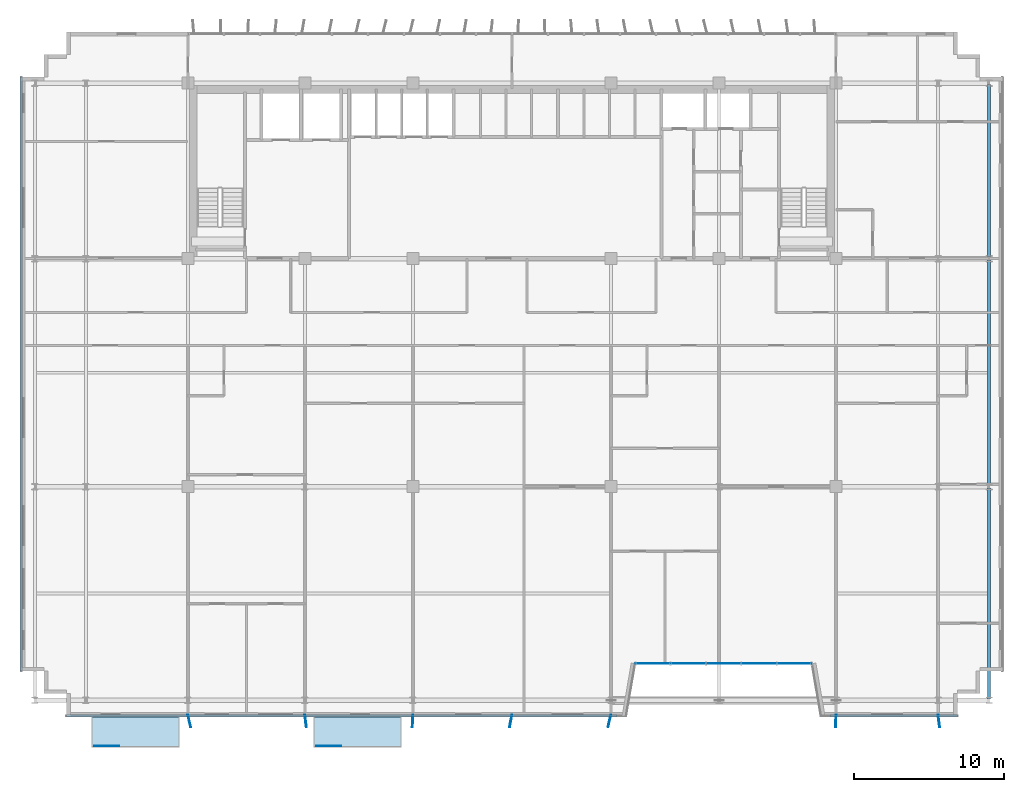
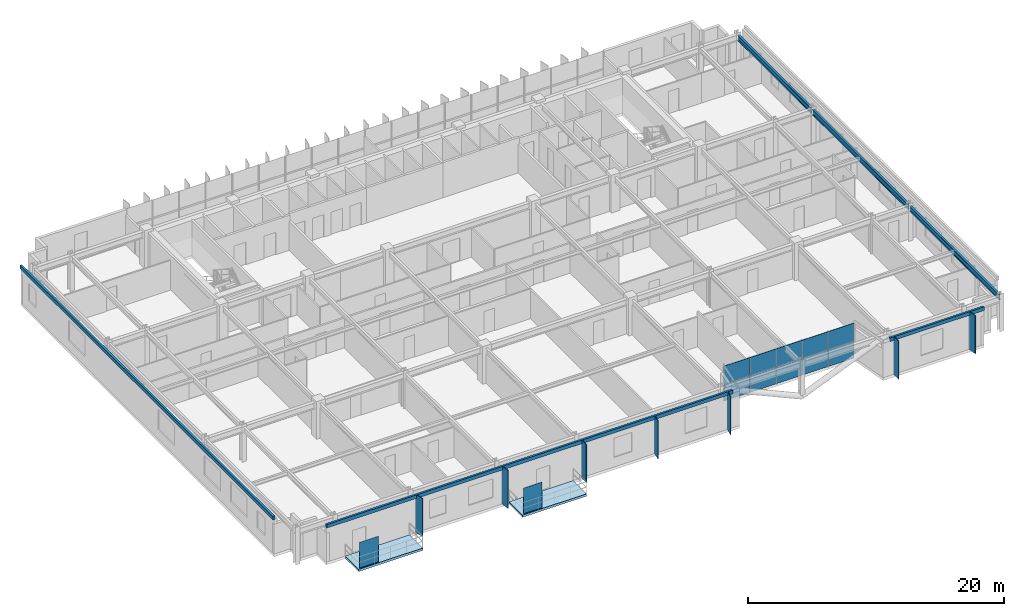
# One storey, part 16 of 26: 22 plates, 3 beams, 2 slabs, 1 element without a shape of its own.
"""IFC4 building model written with IfcOpenShell, lengths in metres."""

from ifc_helpers import new_model, si_unit, direction, frame, origin, origin_2d, place, context, subcontext, project, spatial, polyline, rectangle, i_section, outline, extrude, source, transform, mapped, material, layer, layer_set, material_profile, profile_set, type_object, element, aggregate, save


model = new_model("IFC4")

# Units and contexts
model_context = context("Model", 3, precision=1e-05, world=origin(), true_north=direction((0.0, 1.0)))
body_context = subcontext(model_context, "Body", "Model", "MODEL_VIEW")
ifc_project = project(units=[si_unit("LENGTHUNIT", "METRE"), si_unit("AREAUNIT", "SQUARE_METRE"), si_unit("VOLUMEUNIT", "CUBIC_METRE"), si_unit("PLANEANGLEUNIT", "RADIAN"), si_unit("MASSUNIT", "GRAM", prefix="KILO")], contexts=[model_context])

# Site, building, storey
site_placement = place(None, origin())
site = spatial("IfcSite", under=ifc_project, at=site_placement, CompositionType="ELEMENT")
building_placement = place(site_placement, origin())
building = spatial("IfcBuilding", under=site, at=building_placement, Name="Trelvane Seafront Commons", CompositionType="ELEMENT")
storey_placement = place(building_placement, frame((0.0, 0.0, 124.89990234375)))
storey = spatial("IfcBuildingStorey", under=building, at=storey_placement, Name="L32", CompositionType="ELEMENT", Elevation=124.89990234375)

# Beams
ifc_material_1 = material(Name="Steel SM355 (S355)", Category="steel")
ifc_material_profile = material_profile(ifc_material_1, i_section(OverallWidth=0.199951171875, OverallDepth=0.5, WebThickness=0.010009765625, FlangeThickness=0.01611328125, at=origin_2d()), Name="H-500x200x10x16")
ifc_profile_set = profile_set([ifc_material_profile], Name="Steel SM355 (S355)")
beam_type = type_object("IfcBeamType", Name="STR-BM-H500", PredefinedType="BEAM", material=ifc_profile_set)
shared_shape_1 = source(origin(), body_context, "Body", "SweptSolid", [
    extrude(i_section(OverallWidth=0.199951171875, OverallDepth=0.5, WebThickness=0.010009765625, FlangeThickness=0.01611328125, at=origin_2d()), origin(), (0.0, 0.0, 1.0), 14.050048828125),
])
beam_1_placement = place(storey_placement, frame((69.0, 4.050048828125, 3.090087890625), z_axis=(0.0, 1.0, 0.0), x_axis=(-1.0, 0.0, 0.0)))
element("IfcBeam", 1, at=beam_1_placement, inside=storey, type_object=beam_type, Name="L32 Primary Girder G-64", PredefinedType="BEAM", context=body_context, shape_type="MappedRepresentation", body=[
    mapped(shared_shape_1, transform((0.0, 0.0, 0.0), x_axis=(1.0, 0.0, 0.0), y_axis=(0.0, 1.0, 0.0), z_axis=(0.0, 0.0, 1.0), scale=1.0)),
])
shared_shape_2 = source(origin(), body_context, "Body", "SweptSolid", [
    extrude(i_section(OverallWidth=0.199951171875, OverallDepth=0.5, WebThickness=0.010009765625, FlangeThickness=0.01611328125, at=origin_2d()), origin(), (0.0, 0.0, 1.0), 15.0),
])
beam_2_placement = place(storey_placement, frame((69.0, 18.300048828125, 3.090087890625), z_axis=(0.0, 1.0, 0.0), x_axis=(-1.0, 0.0, 0.0)))
element("IfcBeam", 2, at=beam_2_placement, inside=storey, type_object=beam_type, Name="L32 Primary Girder G-65", PredefinedType="BEAM", context=body_context, shape_type="MappedRepresentation", body=[
    mapped(shared_shape_2, transform((0.0, 0.0, 0.0), x_axis=(1.0, 0.0, 0.0), y_axis=(0.0, 1.0, 0.0), z_axis=(0.0, 0.0, 1.0), scale=1.0)),
])
shared_shape_3 = source(origin(), body_context, "Body", "SweptSolid", [
    extrude(i_section(OverallWidth=0.199951171875, OverallDepth=0.5, WebThickness=0.010009765625, FlangeThickness=0.01611328125, at=origin_2d()), origin(), (0.0, 0.0, 1.0), 11.5),
])
beam_3_placement = place(storey_placement, frame((69.0, 33.5, 3.090087890625), z_axis=(0.0, 1.0, 0.0), x_axis=(-1.0, 0.0, 0.0)))
element("IfcBeam", 3, at=beam_3_placement, inside=storey, type_object=beam_type, Name="L32 Primary Girder G-66", PredefinedType="BEAM", context=body_context, shape_type="MappedRepresentation", body=[
    mapped(shared_shape_3, transform((0.0, 0.0, 0.0), x_axis=(1.0, 0.0, 0.0), y_axis=(0.0, 1.0, 0.0), z_axis=(0.0, 0.0, 1.0), scale=1.0)),
])

# Slabs
ifc_material_2 = material(Name="Concrete C40/50", Category="concrete")
ifc_layer_1 = layer(ifc_material_2, 0.219970703125, Name="ARCH-BALC-220")
ifc_layer_set_1 = layer_set([ifc_layer_1], Name="Concrete C40/50")
slab_type = type_object("IfcSlabType", Name="ARCH-BALC-220", PredefinedType="FLOOR", material=ifc_layer_set_1)
slab_1_placement = place(storey_placement, frame((0.0, 0.0, -0.219970703125)))
element("IfcSlab", 4, at=slab_1_placement, inside=storey, type_object=slab_type, Name="L32 Cantilevered Tree Balcony Loggia 1", PredefinedType="FLOOR", context=body_context, shape_type="SweptSolid", body=[
    extrude(outline(polyline([(9.199951171875, 0.800048828125), (15.0, 0.800048828125), (15.0, 2.89990234375), (9.199951171875, 2.89990234375), (9.199951171875, 0.800048828125)])), origin(), (0.0, 0.0, 1.0), 0.219970703125),
])
slab_2_placement = place(storey_placement, frame((0.0, 0.0, -0.219970703125)))
element("IfcSlab", 5, at=slab_2_placement, inside=storey, type_object=slab_type, Name="L32 Cantilevered Tree Balcony Loggia 2", PredefinedType="FLOOR", context=body_context, shape_type="SweptSolid", body=[
    extrude(outline(polyline([(24.0, 0.800048828125), (29.800048828125, 0.800048828125), (29.800048828125, 2.89990234375), (24.0, 2.89990234375), (24.0, 0.800048828125)])), origin(), (0.0, 0.0, 1.0), 0.219970703125),
])

# Plates
ifc_material_3 = material(Name="Perforated anodised aluminium screen", Category="aluminium")
ifc_layer_2 = layer(ifc_material_3, 0.01611328125, Name="ARCH-PLATE-SCREEN")
ifc_layer_set_2 = layer_set([ifc_layer_2], Name="Perforated anodised aluminium screen")
plate_type_1 = type_object("IfcPlateType", Name="ARCH-PLATE-SCREEN", PredefinedType="USERDEFINED", material=ifc_layer_set_2)
shared_shape_4 = source(origin(), body_context, "Body", "SweptSolid", [
    extrude(rectangle(XDim=1.681884765625, YDim=0.01611328125, at=origin_2d()), origin(), (0.0, 0.0, 1.0), 2.449951171875),
])
for number, where, z_axis, x_axis, name in (
    (6, (10.19091796875, 0.919921875, 0.0), (0.0, 0.0, 1.0), (1.0, 0.0, 0.0), "SCR-L32-00119"),
    (7, (24.990966796875, 0.919921875, 0.0), (0.0, 0.0, 1.0), (1.0, 0.0, 0.0), "SCR-L32-00120"),
):
    element("IfcPlate", number, at=place(storey_placement, frame(where, z_axis=z_axis, x_axis=x_axis)), inside=storey, type_object=plate_type_1, Name=name, ObjectType="SCREEN", PredefinedType="USERDEFINED", context=body_context, shape_type="MappedRepresentation", body=[
        mapped(shared_shape_4, transform((0.0, 0.0, 0.0), x_axis=(1.0, 0.0, 0.0), y_axis=(0.0, 1.0, 0.0), z_axis=(0.0, 0.0, 1.0), scale=1.0)),
    ])
ifc_material_4 = material(Name="Anodised pale-silver aluminium", Category="aluminium")
ifc_layer_3 = layer(ifc_material_4, 0.06005859375, Name="ARCH-PLATE-FIN900")
ifc_layer_set_3 = layer_set([ifc_layer_3], Name="Anodised pale-silver aluminium")
plate_type_2 = type_object("IfcPlateType", Name="ARCH-PLATE-FIN900", PredefinedType="USERDEFINED", material=ifc_layer_set_3)
shared_shape_5 = source(origin(), body_context, "Body", "SweptSolid", [
    extrude(rectangle(XDim=0.85009765625, YDim=0.06005859375, at=origin_2d()), origin(), (0.0, 0.0, 1.0), 3.639892578125),
])
for number, where, z_axis, x_axis, name in (
    (8, (15.6962890625, 2.586181640625, -0.02001953125), (0.0, 0.0, 1.0), (0.226947081103, -0.973907091246, 0.0), "FIN-S-L32-00867"),
    (9, (23.450927734375, 2.578125, -0.02001953125), (0.0, 0.0, 1.0), (0.119878664199, -0.992788550432, 0.0), "FIN-S-L32-00868"),
    (10, (30.580810546875, 2.575439453125, -0.02001953125), (0.0, 0.0, 1.0), (-0.045178172903, -0.99897894507, 0.0), "FIN-S-L32-00869"),
    (11, (37.1201171875, 2.58251953125, -0.02001953125), (0.0, 0.0, 1.0), (-0.188123602559, -0.982145361013, 0.0), "FIN-S-L32-00870"),
    (12, (43.697265625, 2.587646484375, -0.02001953125), (0.0, 0.0, 1.0), (-0.241871090703, -0.970308391947, 0.0), "FIN-S-L32-00871"),
    (13, (58.783935546875, 2.5751953125, -0.02001953125), (0.0, 0.0, 1.0), (-0.03788203178, -0.999282218229, 0.0), "FIN-S-L32-00872"),
    (14, (65.653564453125, 2.578369140625, -0.02001953125), (0.0, 0.0, 1.0), (0.126235327931, -0.99200032358, 0.0), "FIN-S-L32-00873"),
):
    element("IfcPlate", number, at=place(storey_placement, frame(where, z_axis=z_axis, x_axis=x_axis)), inside=storey, type_object=plate_type_2, Name=name, ObjectType="FIN", PredefinedType="USERDEFINED", context=body_context, shape_type="MappedRepresentation", body=[
        mapped(shared_shape_5, transform((0.0, 0.0, 0.0), x_axis=(1.0, 0.0, 0.0), y_axis=(0.0, 1.0, 0.0), z_axis=(0.0, 0.0, 1.0), scale=1.0)),
    ])
ifc_layer_4 = layer(ifc_material_4, 0.179931640625, Name="ARCH-PLATE-AERO")
ifc_layer_set_4 = layer_set([ifc_layer_4], Name="Anodised pale-silver aluminium")
plate_type_3 = type_object("IfcPlateType", Name="ARCH-PLATE-AERO", PredefinedType="SHEET", material=ifc_layer_set_4)
shared_shape_6 = source(origin(), body_context, "Body", "SweptSolid", [
    extrude(rectangle(XDim=39.60009765625, YDim=0.179931640625, at=origin_2d()), origin(), (0.0, 0.0, 1.0), 0.340087890625),
])
plate_1_placement = place(storey_placement, frame((4.5, 25.699951171875, 3.2802734375), z_axis=(0.0, 0.0, 1.0), x_axis=(0.0, 1.0, 0.0)))
element("IfcPlate", 15, at=plate_1_placement, inside=storey, type_object=plate_type_3, Name="AER-L32-00117", PredefinedType="SHEET", context=body_context, shape_type="MappedRepresentation", body=[
    mapped(shared_shape_6, transform((0.0, 0.0, 0.0), x_axis=(1.0, 0.0, 0.0), y_axis=(0.0, 1.0, 0.0), z_axis=(0.0, 0.0, 1.0), scale=1.0)),
])
shared_shape_7 = source(origin(), body_context, "Body", "SweptSolid", [
    extrude(rectangle(XDim=8.5, YDim=0.179931640625, at=origin_2d()), origin(), (0.0, 0.0, 1.0), 0.340087890625),
])
plate_2_placement = place(storey_placement, frame((62.64990234375, 2.93994140625, 3.2802734375), z_axis=(0.0, 0.0, 1.0), x_axis=(-1.0, 0.0, 0.0)))
element("IfcPlate", 16, at=plate_2_placement, inside=storey, type_object=plate_type_3, Name="AER-S-L32-00122", PredefinedType="SHEET", context=body_context, shape_type="MappedRepresentation", body=[
    mapped(shared_shape_7, transform((0.0, 0.0, 0.0), x_axis=(1.0, 0.0, 0.0), y_axis=(0.0, 1.0, 0.0), z_axis=(0.0, 0.0, 1.0), scale=1.0)),
])
shared_shape_8 = source(origin(), body_context, "Body", "SweptSolid", [
    extrude(rectangle(XDim=36.699951171875, YDim=0.179931640625, at=origin_2d()), origin(), (0.0, 0.0, 1.0), 0.340087890625),
])
plate_3_placement = place(storey_placement, frame((25.85009765625, 2.93994140625, 3.2802734375), z_axis=(0.0, 0.0, 1.0), x_axis=(-1.0, 0.0, 0.0)))
element("IfcPlate", 17, at=plate_3_placement, inside=storey, type_object=plate_type_3, Name="AER-S-L32-00121", PredefinedType="SHEET", context=body_context, shape_type="MappedRepresentation", body=[
    mapped(shared_shape_8, transform((0.0, 0.0, 0.0), x_axis=(1.0, 0.0, 0.0), y_axis=(0.0, 1.0, 0.0), z_axis=(0.0, 0.0, 1.0), scale=1.0)),
])

# Curtain wall, plates
curtain_wall_type = type_object("IfcCurtainWallType", Name="ARCH-CW3-PORTAL", PredefinedType="NOTDEFINED", material=ifc_material_4)
curtain_wall_placement = place(storey_placement, origin())
curtain_wall = element("IfcCurtainWall", 18, at=curtain_wall_placement, inside=storey, type_object=curtain_wall_type, Name="CW-L32-VN-0058", PredefinedType="NOTDEFINED")
ifc_material_5 = material(Name="Low-E coastal double glazing", Category="glass")
ifc_layer_5 = layer(ifc_material_5, 0.033935546875, Name="ARCH-CW-GLAZ-34")
ifc_layer_set_5 = layer_set([ifc_layer_5], Name="Low-E coastal double glazing")
plate_type_4 = type_object("IfcPlateType", Name="ARCH-CW-GLAZ-34", PredefinedType="CURTAIN_PANEL", material=ifc_layer_set_5)
shared_shape_9 = source(origin(), body_context, "Body", "SweptSolid", [
    extrude(rectangle(XDim=2.3359375, YDim=0.0380859375, at=origin_2d()), origin(), (0.0, 0.0, 1.0), 1.5849609375),
])
plate_4_placement = place(storey_placement, frame((56.02001953125, 6.39990234375, 0.0), z_axis=(0.0, 0.0, 1.0), x_axis=(-1.0, 0.0, 0.0)))
plate_4 = element("IfcPlate", 19, at=plate_4_placement, type_object=plate_type_4, Name="CW-L32-VN-0058-P00-1", PredefinedType="CURTAIN_PANEL", context=body_context, shape_type="MappedRepresentation", body=[
    mapped(shared_shape_9, transform((0.0, 0.0, 0.0), x_axis=(1.0, 0.0, 0.0), y_axis=(0.0, 1.0, 0.0), z_axis=(0.0, 0.0, 1.0), scale=1.0)),
])
plate_5_placement = place(storey_placement, frame((53.659912109375, 6.39990234375, 0.0), z_axis=(0.0, 0.0, 1.0), x_axis=(-1.0, 0.0, 0.0)))
plate_5 = element("IfcPlate", 20, at=plate_5_placement, type_object=plate_type_4, Name="CW-L32-VN-0058-P01-1", PredefinedType="CURTAIN_PANEL", context=body_context, shape_type="MappedRepresentation", body=[
    mapped(shared_shape_9, transform((0.0, 0.0, 0.0), x_axis=(1.0, 0.0, 0.0), y_axis=(0.0, 1.0, 0.0), z_axis=(0.0, 0.0, 1.0), scale=1.0)),
])
plate_6_placement = place(storey_placement, frame((51.300048828125, 6.39990234375, 0.0), z_axis=(0.0, 0.0, 1.0), x_axis=(-1.0, 0.0, 0.0)))
plate_6 = element("IfcPlate", 21, at=plate_6_placement, type_object=plate_type_4, Name="CW-L32-VN-0058-P02-1", PredefinedType="CURTAIN_PANEL", context=body_context, shape_type="MappedRepresentation", body=[
    mapped(shared_shape_9, transform((0.0, 0.0, 0.0), x_axis=(1.0, 0.0, 0.0), y_axis=(0.0, 1.0, 0.0), z_axis=(0.0, 0.0, 1.0), scale=1.0)),
])
plate_7_placement = place(storey_placement, frame((48.93994140625, 6.39990234375, 0.0), z_axis=(0.0, 0.0, 1.0), x_axis=(-1.0, 0.0, 0.0)))
plate_7 = element("IfcPlate", 22, at=plate_7_placement, type_object=plate_type_4, Name="CW-L32-VN-0058-P03-1", PredefinedType="CURTAIN_PANEL", context=body_context, shape_type="MappedRepresentation", body=[
    mapped(shared_shape_9, transform((0.0, 0.0, 0.0), x_axis=(1.0, 0.0, 0.0), y_axis=(0.0, 1.0, 0.0), z_axis=(0.0, 0.0, 1.0), scale=1.0)),
])
plate_8_placement = place(storey_placement, frame((46.580078125, 6.39990234375, 0.0), z_axis=(0.0, 0.0, 1.0), x_axis=(-1.0, 0.0, 0.0)))
plate_8 = element("IfcPlate", 23, at=plate_8_placement, type_object=plate_type_4, Name="CW-L32-VN-0058-P04-1", PredefinedType="CURTAIN_PANEL", context=body_context, shape_type="MappedRepresentation", body=[
    mapped(shared_shape_9, transform((0.0, 0.0, 0.0), x_axis=(1.0, 0.0, 0.0), y_axis=(0.0, 1.0, 0.0), z_axis=(0.0, 0.0, 1.0), scale=1.0)),
])
shared_shape_10 = source(origin(), body_context, "Body", "SweptSolid", [
    extrude(rectangle(XDim=2.3359375, YDim=0.0380859375, at=origin_2d()), origin(), (0.0, 0.0, 1.0), 1.718994140625),
])
plate_9_placement = place(storey_placement, frame((56.02001953125, 6.39990234375, 1.62109375), z_axis=(0.0, 0.0, 1.0), x_axis=(-1.0, 0.0, 0.0)))
plate_9 = element("IfcPlate", 24, at=plate_9_placement, type_object=plate_type_4, Name="CW-L32-VN-0058-P00-2", PredefinedType="CURTAIN_PANEL", context=body_context, shape_type="MappedRepresentation", body=[
    mapped(shared_shape_10, transform((0.0, 0.0, 0.0), x_axis=(1.0, 0.0, 0.0), y_axis=(0.0, 1.0, 0.0), z_axis=(0.0, 0.0, 1.0), scale=1.0)),
])
plate_10_placement = place(storey_placement, frame((53.659912109375, 6.39990234375, 1.62109375), z_axis=(0.0, 0.0, 1.0), x_axis=(-1.0, 0.0, 0.0)))
plate_10 = element("IfcPlate", 25, at=plate_10_placement, type_object=plate_type_4, Name="CW-L32-VN-0058-P01-2", PredefinedType="CURTAIN_PANEL", context=body_context, shape_type="MappedRepresentation", body=[
    mapped(shared_shape_10, transform((0.0, 0.0, 0.0), x_axis=(1.0, 0.0, 0.0), y_axis=(0.0, 1.0, 0.0), z_axis=(0.0, 0.0, 1.0), scale=1.0)),
])
plate_11_placement = place(storey_placement, frame((51.300048828125, 6.39990234375, 1.62109375), z_axis=(0.0, 0.0, 1.0), x_axis=(-1.0, 0.0, 0.0)))
plate_11 = element("IfcPlate", 26, at=plate_11_placement, type_object=plate_type_4, Name="CW-L32-VN-0058-P02-2", PredefinedType="CURTAIN_PANEL", context=body_context, shape_type="MappedRepresentation", body=[
    mapped(shared_shape_10, transform((0.0, 0.0, 0.0), x_axis=(1.0, 0.0, 0.0), y_axis=(0.0, 1.0, 0.0), z_axis=(0.0, 0.0, 1.0), scale=1.0)),
])
plate_12_placement = place(storey_placement, frame((48.93994140625, 6.39990234375, 1.62109375), z_axis=(0.0, 0.0, 1.0), x_axis=(-1.0, 0.0, 0.0)))
plate_12 = element("IfcPlate", 27, at=plate_12_placement, type_object=plate_type_4, Name="CW-L32-VN-0058-P03-2", PredefinedType="CURTAIN_PANEL", context=body_context, shape_type="MappedRepresentation", body=[
    mapped(shared_shape_10, transform((0.0, 0.0, 0.0), x_axis=(1.0, 0.0, 0.0), y_axis=(0.0, 1.0, 0.0), z_axis=(0.0, 0.0, 1.0), scale=1.0)),
])
plate_13_placement = place(storey_placement, frame((46.580078125, 6.39990234375, 1.62109375), z_axis=(0.0, 0.0, 1.0), x_axis=(-1.0, 0.0, 0.0)))
plate_13 = element("IfcPlate", 28, at=plate_13_placement, type_object=plate_type_4, Name="CW-L32-VN-0058-P04-2", PredefinedType="CURTAIN_PANEL", context=body_context, shape_type="MappedRepresentation", body=[
    mapped(shared_shape_10, transform((0.0, 0.0, 0.0), x_axis=(1.0, 0.0, 0.0), y_axis=(0.0, 1.0, 0.0), z_axis=(0.0, 0.0, 1.0), scale=1.0)),
])
aggregate(curtain_wall, [plate_4, plate_9, plate_5, plate_10, plate_6, plate_11, plate_7, plate_12, plate_8, plate_13])

save(model, "model.ifc")
